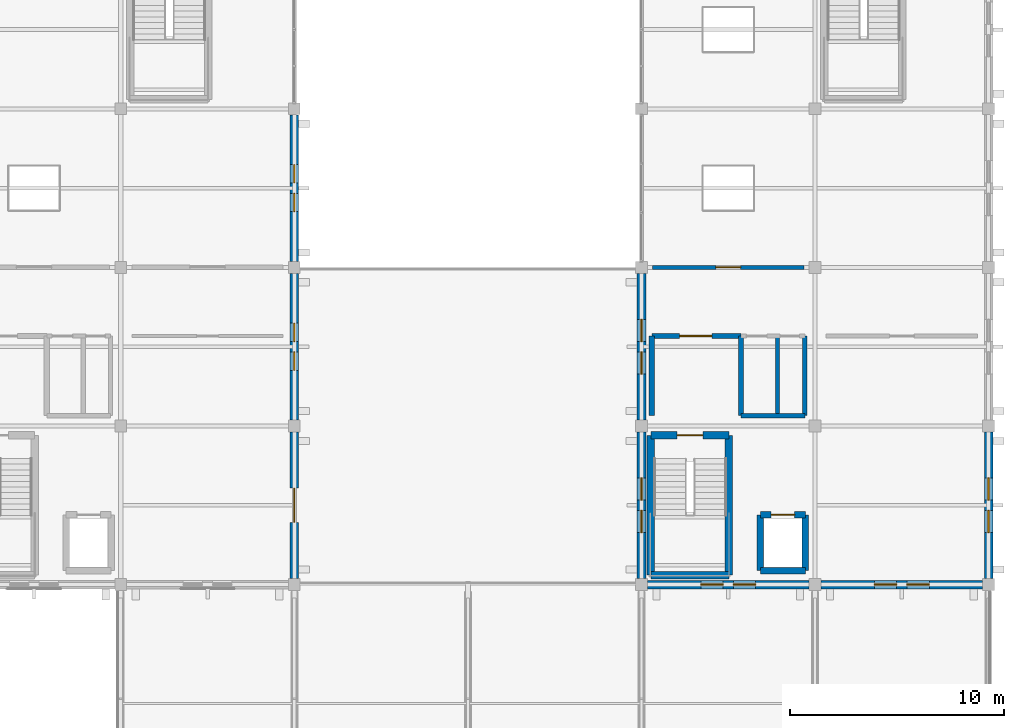
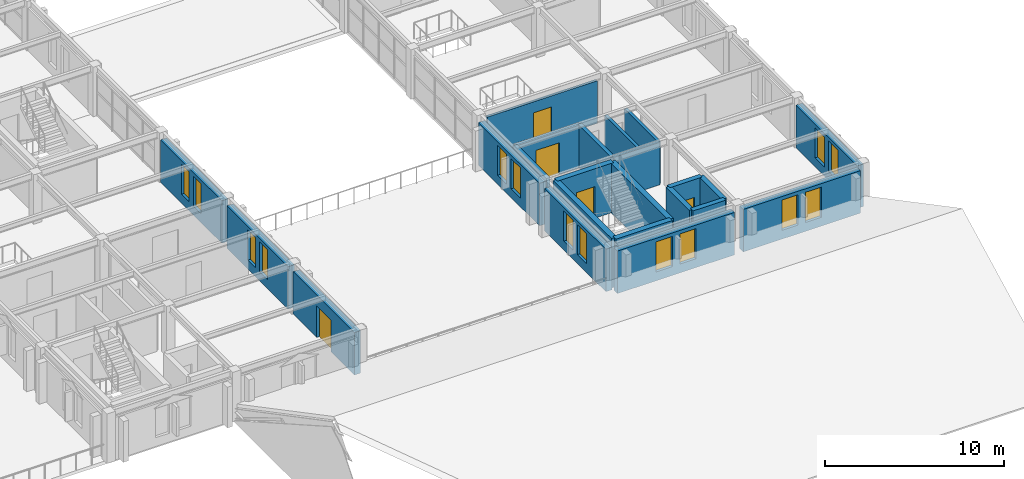
# One storey, part 107 of 121: 23 walls, 14 windows, 5 doors, 19 openings.
"""IFC4 building model written with IfcOpenShell, lengths in metres."""

from ifc_helpers import new_model, si_unit, direction, frame, frame_2d, origin, place, context, subcontext, project, spatial, rectangle, extrude, material, layer, layer_set, type_object, element, fill, save


model = new_model("IFC4")

# Units and contexts
model_context = context("Model", 3, precision=1e-05, world=origin(), true_north=direction((0.0, 1.0)))
body_context = subcontext(model_context, "Body", "Model", "MODEL_VIEW")
ifc_project = project(units=[si_unit("LENGTHUNIT", "METRE"), si_unit("AREAUNIT", "SQUARE_METRE"), si_unit("VOLUMEUNIT", "CUBIC_METRE"), si_unit("PLANEANGLEUNIT", "RADIAN"), si_unit("MASSUNIT", "GRAM", prefix="KILO")], contexts=[model_context])

# Site, building, storey
site_placement = place(None, origin())
site = spatial("IfcSite", under=ifc_project, at=site_placement, CompositionType="ELEMENT")
building_placement = place(site_placement, origin())
building = spatial("IfcBuilding", under=site, at=building_placement, Name="Cimatlan Art Gallery", CompositionType="ELEMENT")
storey_placement = place(building_placement, frame((0.0, 0.0, 10.199951171875)))
storey = spatial("IfcBuildingStorey", under=building, at=storey_placement, Name="L02", CompositionType="ELEMENT", Elevation=10.199951171875)

# Walls
ifc_material_1 = material(Name="Concrete C40/50", Category="concrete")
ifc_layer_1 = layer(ifc_material_1, 0.31005859375)
ifc_layer_set_1 = layer_set([ifc_layer_1], Name="Concrete C40/50")
wall_type_1 = type_object("IfcWallType", Name="W-CORE-310", PredefinedType="SHEAR", material=ifc_layer_set_1)
wall_1_placement = place(storey_placement, frame((153.35009765625, 24.550048828125, 0.0), z_axis=(0.0, 0.0, 1.0), x_axis=(0.0, 1.0, 0.0)))
element("IfcWall", 1, at=wall_1_placement, inside=storey, type_object=wall_type_1, Name="WL-SHFT-C5-L02-LW", PredefinedType="SHEAR", context=body_context, shape_type="SweptSolid", body=[
    extrude(rectangle(XDim=2.599853515625, YDim=0.31005859375, at=frame_2d((1.2998046875, 0.0))), origin(), (0.0, 0.0, 1.0), 3.364990234375),
])
wall_2_placement = place(storey_placement, frame((153.35009765625, 24.550048828125, 0.0), z_axis=(0.0, 0.0, 1.0), x_axis=(1.0, 0.0, 0.0)))
element("IfcWall", 2, at=wall_2_placement, inside=storey, type_object=wall_type_1, Name="WL-SHFT-C5-L02-LS", PredefinedType="SHEAR", context=body_context, shape_type="SweptSolid", body=[
    extrude(rectangle(XDim=2.099853515625, YDim=0.31005859375, at=frame_2d((1.0498046875, 0.0))), origin(), (0.0, 0.0, 1.0), 3.364990234375),
])
wall_3_placement = place(storey_placement, frame((155.449951171875, 24.550048828125, 0.0), z_axis=(0.0, 0.0, 1.0), x_axis=(0.0, 1.0, 0.0)))
element("IfcWall", 3, at=wall_3_placement, inside=storey, type_object=wall_type_1, Name="WL-SHFT-C5-L02-LE", PredefinedType="SHEAR", context=body_context, shape_type="SweptSolid", body=[
    extrude(rectangle(XDim=2.599853515625, YDim=0.31005859375, at=frame_2d((1.2998046875, 0.0))), origin(), (0.0, 0.0, 1.0), 3.364990234375),
])

# Wall, opening, door
wall_4_placement = place(storey_placement, frame((153.35009765625, 27.14990234375, 0.0), z_axis=(0.0, 0.0, 1.0), x_axis=(1.0, 0.0, 0.0)))
wall_4 = element("IfcWall", 4, at=wall_4_placement, inside=storey, type_object=wall_type_1, Name="WL-SHFT-C5-L02-LN", PredefinedType="SHEAR", context=body_context, shape_type="SweptSolid", body=[
    extrude(rectangle(XDim=2.099853515625, YDim=0.31005859375, at=frame_2d((1.0498046875, 0.0))), origin(), (0.0, 0.0, 1.0), 3.364990234375),
])
opening_1_placement = place(wall_4_placement, frame((0.5, 0.0, 0.0)))
opening_1 = element("IfcOpeningElement", 5, at=opening_1_placement, cuts=wall_4, Name="Opening LD-C5-L02", PredefinedType="OPENING", context=body_context, shape_type="SweptSolid", body=[
    extrude(rectangle(XDim=1.10009765625, YDim=2.14990234375, at=frame_2d((0.550048828125, 1.074951171875))), frame((0.0, 0.1650390625, 0.0), z_axis=(0.0, -1.0, 0.0), x_axis=(1.0, 0.0, 0.0)), (0.0, 0.0, 1.0), 0.330078125),
])
ifc_material_2 = material(Name="Brushed bronze sliding lift landing door")
door_type_1 = type_object("IfcDoorType", Name="LD-PS-1100", OperationType="NOTDEFINED", PredefinedType="DOOR", material=ifc_material_2)
door_1_placement = place(opening_1_placement, origin())
door_1 = element("IfcDoor", 6, at=door_1_placement, inside=storey, type_object=door_type_1, Name="LD-PL-02-L02", OperationType="SLIDING_TO_LEFT", OverallHeight=2.14990234375, OverallWidth=1.10009765625, PredefinedType="DOOR", context=body_context, shape_type="SweptSolid", body=[
    extrude(rectangle(XDim=1.10009765625, YDim=2.14990234375, at=frame_2d((0.550048828125, 1.074951171875))), frame((0.0, 0.02490234375, 0.0), z_axis=(0.0, -1.0, 0.0), x_axis=(1.0, 0.0, 0.0)), (0.0, 0.0, 1.0), 0.050048828125),
])
fill(opening_1, door_1)

# Walls
ifc_layer_2 = layer(ifc_material_1, 0.35009765625)
ifc_layer_set_2 = layer_set([ifc_layer_2], Name="Concrete C40/50")
wall_type_2 = type_object("IfcWallType", Name="W-CORE-350", PredefinedType="SHEAR", material=ifc_layer_set_2)
wall_5_placement = place(storey_placement, frame((148.239990234375, 24.340087890625, 0.0), z_axis=(0.0, 0.0, 1.0), x_axis=(0.0, 1.0, 0.0)))
element("IfcWall", 7, at=wall_5_placement, inside=storey, type_object=wall_type_2, Name="WL-CORE-C5-L02-SW", PredefinedType="SHEAR", context=body_context, shape_type="SweptSolid", body=[
    extrude(rectangle(XDim=6.52001953125, YDim=0.35009765625, at=frame_2d((3.260009765625, 0.0))), origin(), (0.0, 0.0, 1.0), 3.364990234375),
])
wall_6_placement = place(storey_placement, frame((148.239990234375, 24.340087890625, 0.0), z_axis=(0.0, 0.0, 1.0), x_axis=(1.0, 0.0, 0.0)))
element("IfcWall", 8, at=wall_6_placement, inside=storey, type_object=wall_type_2, Name="WL-CORE-C5-L02-SS", PredefinedType="SHEAR", context=body_context, shape_type="SweptSolid", body=[
    extrude(rectangle(XDim=3.639892578125, YDim=0.35009765625, at=frame_2d((1.81982421875, 0.0))), origin(), (0.0, 0.0, 1.0), 3.364990234375),
])
wall_7_placement = place(storey_placement, frame((151.8798828125, 24.340087890625, 0.0), z_axis=(0.0, 0.0, 1.0), x_axis=(0.0, 1.0, 0.0)))
element("IfcWall", 9, at=wall_7_placement, inside=storey, type_object=wall_type_2, Name="WL-CORE-C5-L02-SE", PredefinedType="SHEAR", context=body_context, shape_type="SweptSolid", body=[
    extrude(rectangle(XDim=6.52001953125, YDim=0.35009765625, at=frame_2d((3.260009765625, 0.0))), origin(), (0.0, 0.0, 1.0), 3.364990234375),
])

# Wall, opening, door
wall_8_placement = place(storey_placement, frame((148.239990234375, 30.860107421875, 0.0), z_axis=(0.0, 0.0, 1.0), x_axis=(1.0, 0.0, 0.0)))
wall_8 = element("IfcWall", 10, at=wall_8_placement, inside=storey, type_object=wall_type_2, Name="WL-CORE-C5-L02-SN", PredefinedType="SHEAR", context=body_context, shape_type="SweptSolid", body=[
    extrude(rectangle(XDim=3.639892578125, YDim=0.35009765625, at=frame_2d((1.81982421875, 0.0))), origin(), (0.0, 0.0, 1.0), 3.364990234375),
])
opening_2_placement = place(wall_8_placement, frame((1.219970703125, 0.0, 0.0)))
opening_2 = element("IfcOpeningElement", 11, at=opening_2_placement, cuts=wall_8, Name="Opening FD-C5-L02", PredefinedType="OPENING", context=body_context, shape_type="SweptSolid", body=[
    extrude(rectangle(XDim=1.199951171875, YDim=2.14990234375, at=frame_2d((0.60009765625, 1.074951171875))), frame((0.0, 0.18505859375, 0.0), z_axis=(0.0, -1.0, 0.0), x_axis=(1.0, 0.0, 0.0)), (0.0, 0.0, 1.0), 0.3701171875),
])
ifc_material_3 = material(Name="Fire-resisting steel acoustic stair door", Category="steel")
door_type_2 = type_object("IfcDoorType", Name="FD-ST-1200", OperationType="NOTDEFINED", PredefinedType="DOOR", material=ifc_material_3)
door_2_placement = place(opening_2_placement, origin())
door_2 = element("IfcDoor", 12, at=door_2_placement, inside=storey, type_object=door_type_2, Name="DR-C5-L02-ST", OperationType="SINGLE_SWING_LEFT", OverallHeight=2.14990234375, OverallWidth=1.199951171875, PredefinedType="DOOR", context=body_context, shape_type="SweptSolid", body=[
    extrude(rectangle(XDim=1.199951171875, YDim=2.14990234375, at=frame_2d((0.60009765625, 1.074951171875))), frame((0.0, 0.02490234375, 0.0), z_axis=(0.0, -1.0, 0.0), x_axis=(1.0, 0.0, 0.0)), (0.0, 0.0, 1.0), 0.050048828125),
])
fill(opening_2, door_2)

ifc_material_4 = material(Name="Precast concrete C40/50", Category="concrete")
ifc_layer_3 = layer(ifc_material_4, 0.2451171875)
ifc_layer_set_3 = layer_set([ifc_layer_3], Name="Precast concrete C40/50")
wall_type_3 = type_object("IfcWallType", Name="W-FFL-245", PredefinedType="PARTITIONING", material=ifc_layer_set_3)
wall_9_placement = place(storey_placement, frame((148.280029296875, 35.5, 0.0), z_axis=(0.0, 0.0, 1.0), x_axis=(1.0, 0.0, 0.0)))
wall_9 = element("IfcWall", 13, at=wall_9_placement, inside=storey, type_object=wall_type_3, Name="WL-LOB-C5-L02-N", PredefinedType="PARTITIONING", context=body_context, shape_type="SweptSolid", body=[
    extrude(rectangle(XDim=4.169921875, YDim=0.2451171875, at=frame_2d((2.0849609375, 0.0))), origin(), (0.0, 0.0, 1.0), 2.903076171875),
])
opening_3_placement = place(wall_9_placement, frame((1.300048828125, 0.0, 0.0)))
opening_3 = element("IfcOpeningElement", 14, at=opening_3_placement, cuts=wall_9, Name="Opening FDL-C5-L02", PredefinedType="OPENING", context=body_context, shape_type="SweptSolid", body=[
    extrude(rectangle(XDim=1.5, YDim=2.14990234375, at=frame_2d((0.75, 1.074951171875))), frame((0.0, 0.132568359375, 0.0), z_axis=(0.0, -1.0, 0.0), x_axis=(1.0, 0.0, 0.0)), (0.0, 0.0, 1.0), 0.26513671875),
])
ifc_material_5 = material(Name="Fire-resisting double-seal lobby door")
door_type_3 = type_object("IfcDoorType", Name="FD-LB-1500", OperationType="NOTDEFINED", PredefinedType="DOOR", material=ifc_material_5)
door_3_placement = place(opening_3_placement, origin())
door_3 = element("IfcDoor", 15, at=door_3_placement, inside=storey, type_object=door_type_3, Name="DR-LOB-C5-L02", OperationType="SINGLE_SWING_RIGHT", OverallHeight=2.14990234375, OverallWidth=1.5, PredefinedType="DOOR", context=body_context, shape_type="SweptSolid", body=[
    extrude(rectangle(XDim=1.5, YDim=2.14990234375, at=frame_2d((0.75, 1.074951171875))), frame((0.0, 0.02490234375, 0.0), z_axis=(0.0, -1.0, 0.0), x_axis=(1.0, 0.0, 0.0)), (0.0, 0.0, 1.0), 0.050048828125),
])
fill(opening_3, door_3)

# Walls
for number, where, z_axis, x_axis, name in (
    (16, (148.280029296875, 31.780029296875, 0.0), (0.0, 0.0, 1.0), (0.0, 1.0, 0.0), "WL-LOB-C5-L02-W"),
    (17, (152.449951171875, 31.780029296875, 0.0), (0.0, 0.0, 1.0), (0.0, 1.0, 0.0), "WL-LOB-C5-L02-M"),
):
    element("IfcWall", number, at=place(storey_placement, frame(where, z_axis=z_axis, x_axis=x_axis)), inside=storey, type_object=wall_type_3, Name=name, PredefinedType="PARTITIONING", context=body_context, shape_type="SweptSolid", body=[
        extrude(rectangle(XDim=3.719970703125, YDim=0.2451171875, at=frame_2d((1.85986328125, 0.0))), origin(), (0.0, 0.0, 1.0), 2.903076171875),
    ])
ifc_material_6 = material(Name="Moisture-resistant fire-rated plumbing wall")
ifc_layer_4 = layer(ifc_material_6, 0.195068359375)
ifc_layer_set_4 = layer_set([ifc_layer_4], Name="Moisture-resistant fire-rated plumbing wall")
wall_type_4 = type_object("IfcWallType", Name="W-PLM-195", PredefinedType="PARTITIONING", material=ifc_layer_set_4)
for number, where, z_axis, x_axis, name in (
    (18, (154.14990234375, 31.780029296875, 0.0), (0.0, 0.0, 1.0), (0.0, 1.0, 0.0), "WL-LOB-C5-L02-D"),
    (19, (155.419921875, 31.780029296875, 0.0), (0.0, 0.0, 1.0), (0.0, 1.0, 0.0), "WL-LOB-C5-L02-E"),
):
    element("IfcWall", number, at=place(storey_placement, frame(where, z_axis=z_axis, x_axis=x_axis)), inside=storey, type_object=wall_type_4, Name=name, PredefinedType="PARTITIONING", context=body_context, shape_type="SweptSolid", body=[
        extrude(rectangle(XDim=3.719970703125, YDim=0.195068359375, at=frame_2d((1.85986328125, 0.0))), origin(), (0.0, 0.0, 1.0), 2.903076171875),
    ])
wall_10_placement = place(storey_placement, frame((152.449951171875, 31.780029296875, 0.0), z_axis=(0.0, 0.0, 1.0), x_axis=(1.0, 0.0, 0.0)))
element("IfcWall", 20, at=wall_10_placement, inside=storey, type_object=wall_type_4, Name="WL-LOB-C5-L02-S", PredefinedType="PARTITIONING", context=body_context, shape_type="SweptSolid", body=[
    extrude(rectangle(XDim=2.969970703125, YDim=0.195068359375, at=frame_2d((1.48486328125, 0.0))), origin(), (0.0, 0.0, 1.0), 2.903076171875),
])

# Wall, opening, door
ifc_material_7 = material(Name="Acoustic gypsum and steel stud partition", Category="steel")
ifc_layer_5 = layer(ifc_material_7, 0.179931640625)
ifc_layer_set_5 = layer_set([ifc_layer_5], Name="Acoustic gypsum and steel stud partition")
wall_type_5 = type_object("IfcWallType", Name="W-STD-180", PredefinedType="PARTITIONING", material=ifc_layer_set_5)
wall_11_placement = place(storey_placement, frame((148.320068359375, 38.699951171875, 0.0), z_axis=(0.0, 0.0, 1.0), x_axis=(1.0, 0.0, 0.0)))
wall_11 = element("IfcWall", 21, at=wall_11_placement, inside=storey, type_object=wall_type_5, Name="WL-RM-L02-STD-02", PredefinedType="PARTITIONING", context=body_context, shape_type="SweptSolid", body=[
    extrude(rectangle(XDim=7.059814453125, YDim=0.179931640625, at=frame_2d((3.52978515625, 0.0))), origin(), (0.0, 0.0, 1.0), 2.903076171875),
])
opening_4_placement = place(wall_11_placement, frame((2.955078125, 0.0, 0.0)))
opening_4 = element("IfcOpeningElement", 22, at=opening_4_placement, cuts=wall_11, Name="Opening DI-0239", PredefinedType="OPENING", context=body_context, shape_type="SweptSolid", body=[
    extrude(rectangle(XDim=1.14990234375, YDim=2.14990234375, at=frame_2d((0.574951171875, 1.074951171875))), frame((0.0, 0.10009765625, 0.0), z_axis=(0.0, -1.0, 0.0), x_axis=(1.0, 0.0, 0.0)), (0.0, 0.0, 1.0), 0.199951171875),
])
ifc_material_8 = material(Name="Solid oak artists' studio door")
door_type_4 = type_object("IfcDoorType", Name="DI-SD-1150", OperationType="NOTDEFINED", PredefinedType="DOOR", material=ifc_material_8)
door_4_placement = place(opening_4_placement, origin())
door_4 = element("IfcDoor", 23, at=door_4_placement, inside=storey, type_object=door_type_4, Name="DR-RM-L02-STD-02", OperationType="SINGLE_SWING_LEFT", OverallHeight=2.14990234375, OverallWidth=1.14990234375, PredefinedType="DOOR", context=body_context, shape_type="SweptSolid", body=[
    extrude(rectangle(XDim=1.14990234375, YDim=2.14990234375, at=frame_2d((0.574951171875, 1.074951171875))), frame((0.0, 0.02490234375, 0.0), z_axis=(0.0, -1.0, 0.0), x_axis=(1.0, 0.0, 0.0)), (0.0, 0.0, 1.0), 0.050048828125),
])
fill(opening_4, door_4)

ifc_layer_6 = layer(ifc_material_4, 0.39990234375)
ifc_layer_set_6 = layer_set([ifc_layer_6], Name="Precast concrete C40/50")
wall_type_6 = type_object("IfcWallType", Name="WL-EXT-CAN-400", PredefinedType="SOLIDWALL", material=ifc_layer_set_6)
wall_12_placement = place(storey_placement, frame((131.60009765625, 31.02099609375, 0.0), z_axis=(0.0, 0.0, 1.0), x_axis=(0.0, -1.0, 0.0)))
wall_12 = element("IfcWall", 24, at=wall_12_placement, inside=storey, type_object=wall_type_6, Name="WL-EXT-L02-15-03-E", PredefinedType="SOLIDWALL", context=body_context, shape_type="SweptSolid", body=[
    extrude(rectangle(XDim=6.842041015625, YDim=0.39990234375, at=frame_2d((3.4208984375, 0.0))), origin(), (0.0, 0.0, 1.0), 2.89794921875),
])
opening_5_placement = place(wall_12_placement, frame((2.62109375, 0.0, 0.0)))
opening_5 = element("IfcOpeningElement", 25, at=opening_5_placement, cuts=wall_12, Name="Opening D-L02-T09", PredefinedType="OPENING", context=body_context, shape_type="SweptSolid", body=[
    extrude(rectangle(XDim=1.60009765625, YDim=2.14990234375, at=frame_2d((0.800048828125, 1.074951171875))), frame((0.0, 0.2099609375, 0.0), z_axis=(0.0, -1.0, 0.0), x_axis=(1.0, 0.0, 0.0)), (0.0, 0.0, 1.0), 0.419921875),
])
ifc_material_9 = material(Name="Anodised bronze and laminated safety glass door", Category="glass")
door_type_5 = type_object("IfcDoorType", Name="DE-TR-1600", OperationType="NOTDEFINED", PredefinedType="DOOR", material=ifc_material_9)
door_5_placement = place(opening_5_placement, origin())
door_5 = element("IfcDoor", 26, at=door_5_placement, inside=storey, type_object=door_type_5, Name="D-L02-T09", OperationType="SINGLE_SWING_LEFT", OverallHeight=2.14990234375, OverallWidth=1.60009765625, PredefinedType="DOOR", context=body_context, shape_type="SweptSolid", body=[
    extrude(rectangle(XDim=1.60009765625, YDim=2.14990234375, at=frame_2d((0.800048828125, 1.074951171875))), frame((0.0, 0.02490234375, 0.0), z_axis=(0.0, -1.0, 0.0), x_axis=(1.0, 0.0, 0.0)), (0.0, 0.0, 1.0), 0.050048828125),
])
fill(opening_5, door_5)

# Wall, openings, windows
wall_13_placement = place(storey_placement, frame((131.60009765625, 38.4208984375, 0.0), z_axis=(0.0, 0.0, 1.0), x_axis=(0.0, -1.0, 0.0)))
wall_13 = element("IfcWall", 27, at=wall_13_placement, inside=storey, type_object=wall_type_6, Name="WL-EXT-L02-15-04-E", PredefinedType="SOLIDWALL", context=body_context, shape_type="SweptSolid", body=[
    extrude(rectangle(XDim=6.841796875, YDim=0.39990234375, at=frame_2d((3.4208984375, 0.0))), origin(), (0.0, 0.0, 1.0), 2.89794921875),
])
opening_6_placement = place(wall_13_placement, frame((2.321044921875, 0.0, 0.60009765625)))
opening_6 = element("IfcOpeningElement", 28, at=opening_6_placement, cuts=wall_13, Name="Opening WN-0177", PredefinedType="OPENING", context=body_context, shape_type="SweptSolid", body=[
    extrude(rectangle(XDim=0.860107421875, YDim=2.050048828125, at=frame_2d((0.43017578125, 1.02490234375))), frame((0.0, 0.2099609375, 0.0), z_axis=(0.0, -1.0, 0.0), x_axis=(1.0, 0.0, 0.0)), (0.0, 0.0, 1.0), 0.419921875),
])
opening_7_placement = place(wall_13_placement, frame((3.660888671875, 0.0, 0.60009765625)))
opening_7 = element("IfcOpeningElement", 29, at=opening_7_placement, cuts=wall_13, Name="Opening WN-0178", PredefinedType="OPENING", context=body_context, shape_type="SweptSolid", body=[
    extrude(rectangle(XDim=0.860107421875, YDim=2.050048828125, at=frame_2d((0.43017578125, 1.02490234375))), frame((0.0, 0.2099609375, 0.0), z_axis=(0.0, -1.0, 0.0), x_axis=(1.0, 0.0, 0.0)), (0.0, 0.0, 1.0), 0.419921875),
])
ifc_material_10 = material(Name="Low-E laminated double glazing in bronze lancet frame", Category="glass")
window_type_1 = type_object("IfcWindowType", Name="WIN-E-L02-0860X2050", PartitioningType="SINGLE_PANEL", PredefinedType="WINDOW", material=ifc_material_10)
window_1_placement = place(opening_6_placement, origin())
window_1 = element("IfcWindow", 30, at=window_1_placement, inside=storey, type_object=window_type_1, Name="WIN-0177", OverallHeight=2.050048828125, OverallWidth=0.860107421875, PartitioningType="SINGLE_PANEL", PredefinedType="WINDOW", context=body_context, shape_type="SweptSolid", body=[
    extrude(rectangle(XDim=0.860107421875, YDim=2.050048828125, at=frame_2d((0.43017578125, 1.02490234375))), frame((0.0, 0.030029296875, 0.0), z_axis=(0.0, -1.0, 0.0), x_axis=(1.0, 0.0, 0.0)), (0.0, 0.0, 1.0), 0.06005859375),
])
fill(opening_6, window_1)
window_2_placement = place(opening_7_placement, origin())
window_2 = element("IfcWindow", 31, at=window_2_placement, inside=storey, type_object=window_type_1, Name="WIN-0178", OverallHeight=2.050048828125, OverallWidth=0.860107421875, PartitioningType="SINGLE_PANEL", PredefinedType="WINDOW", context=body_context, shape_type="SweptSolid", body=[
    extrude(rectangle(XDim=0.860107421875, YDim=2.050048828125, at=frame_2d((0.43017578125, 1.02490234375))), frame((0.0, 0.030029296875, 0.0), z_axis=(0.0, -1.0, 0.0), x_axis=(1.0, 0.0, 0.0)), (0.0, 0.0, 1.0), 0.06005859375),
])
fill(opening_7, window_2)

wall_14_placement = place(storey_placement, frame((131.60009765625, 45.821044921875, 0.0), z_axis=(0.0, 0.0, 1.0), x_axis=(0.0, -1.0, 0.0)))
wall_14 = element("IfcWall", 32, at=wall_14_placement, inside=storey, type_object=wall_type_6, Name="WL-EXT-L02-15-05-E", PredefinedType="SOLIDWALL", context=body_context, shape_type="SweptSolid", body=[
    extrude(rectangle(XDim=6.842041015625, YDim=0.39990234375, at=frame_2d((3.4208984375, 0.0))), origin(), (0.0, 0.0, 1.0), 2.89794921875),
])
opening_8_placement = place(wall_14_placement, frame((2.321044921875, 0.0, 0.60009765625)))
opening_8 = element("IfcOpeningElement", 33, at=opening_8_placement, cuts=wall_14, Name="Opening WN-0179", PredefinedType="OPENING", context=body_context, shape_type="SweptSolid", body=[
    extrude(rectangle(XDim=0.860107421875, YDim=2.050048828125, at=frame_2d((0.43017578125, 1.02490234375))), frame((0.0, 0.2099609375, 0.0), z_axis=(0.0, -1.0, 0.0), x_axis=(1.0, 0.0, 0.0)), (0.0, 0.0, 1.0), 0.419921875),
])
opening_9_placement = place(wall_14_placement, frame((3.660888671875, 0.0, 0.60009765625)))
opening_9 = element("IfcOpeningElement", 34, at=opening_9_placement, cuts=wall_14, Name="Opening WN-0180", PredefinedType="OPENING", context=body_context, shape_type="SweptSolid", body=[
    extrude(rectangle(XDim=0.860107421875, YDim=2.050048828125, at=frame_2d((0.43017578125, 1.02490234375))), frame((0.0, 0.2099609375, 0.0), z_axis=(0.0, -1.0, 0.0), x_axis=(1.0, 0.0, 0.0)), (0.0, 0.0, 1.0), 0.419921875),
])
window_3_placement = place(opening_8_placement, origin())
window_3 = element("IfcWindow", 35, at=window_3_placement, inside=storey, type_object=window_type_1, Name="WIN-0179", OverallHeight=2.050048828125, OverallWidth=0.860107421875, PartitioningType="SINGLE_PANEL", PredefinedType="WINDOW", context=body_context, shape_type="SweptSolid", body=[
    extrude(rectangle(XDim=0.860107421875, YDim=2.050048828125, at=frame_2d((0.43017578125, 1.02490234375))), frame((0.0, 0.030029296875, 0.0), z_axis=(0.0, -1.0, 0.0), x_axis=(1.0, 0.0, 0.0)), (0.0, 0.0, 1.0), 0.06005859375),
])
fill(opening_8, window_3)
window_4_placement = place(opening_9_placement, origin())
window_4 = element("IfcWindow", 36, at=window_4_placement, inside=storey, type_object=window_type_1, Name="WIN-0180", OverallHeight=2.050048828125, OverallWidth=0.860107421875, PartitioningType="SINGLE_PANEL", PredefinedType="WINDOW", context=body_context, shape_type="SweptSolid", body=[
    extrude(rectangle(XDim=0.860107421875, YDim=2.050048828125, at=frame_2d((0.43017578125, 1.02490234375))), frame((0.0, 0.030029296875, 0.0), z_axis=(0.0, -1.0, 0.0), x_axis=(1.0, 0.0, 0.0)), (0.0, 0.0, 1.0), 0.06005859375),
])
fill(opening_9, window_4)

wall_15_placement = place(storey_placement, frame((155.62109375, 23.89990234375, 0.0), z_axis=(0.0, 0.0, 1.0), x_axis=(-1.0, 0.0, 0.0)))
wall_15 = element("IfcWall", 37, at=wall_15_placement, inside=storey, type_object=wall_type_6, Name="WL-EXT-L02-18-03-S", PredefinedType="SOLIDWALL", context=body_context, shape_type="SweptSolid", body=[
    extrude(rectangle(XDim=7.5419921875, YDim=0.39990234375, at=frame_2d((3.77099609375, 0.0))), origin(), (0.0, 0.0, 1.0), 2.89794921875),
])
opening_10_placement = place(wall_15_placement, frame((2.490966796875, 0.0, 0.60009765625)))
opening_10 = element("IfcOpeningElement", 38, at=opening_10_placement, cuts=wall_15, Name="Opening WN-0185", PredefinedType="OPENING", context=body_context, shape_type="SweptSolid", body=[
    extrude(rectangle(XDim=1.0400390625, YDim=2.06005859375, at=frame_2d((0.52001953125, 1.030029296875))), frame((0.0, 0.2099609375, 0.0), z_axis=(0.0, -1.0, 0.0), x_axis=(1.0, 0.0, 0.0)), (0.0, 0.0, 1.0), 0.419921875),
])
opening_11_placement = place(wall_15_placement, frame((4.010986328125, 0.0, 0.60009765625)))
opening_11 = element("IfcOpeningElement", 39, at=opening_11_placement, cuts=wall_15, Name="Opening WN-0186", PredefinedType="OPENING", context=body_context, shape_type="SweptSolid", body=[
    extrude(rectangle(XDim=1.0400390625, YDim=2.06005859375, at=frame_2d((0.52001953125, 1.030029296875))), frame((0.0, 0.2099609375, 0.0), z_axis=(0.0, -1.0, 0.0), x_axis=(1.0, 0.0, 0.0)), (0.0, 0.0, 1.0), 0.419921875),
])
window_type_2 = type_object("IfcWindowType", Name="WIN-STD-L02-1040X2060", PartitioningType="SINGLE_PANEL", PredefinedType="WINDOW", material=ifc_material_10)
window_5_placement = place(opening_10_placement, origin())
window_5 = element("IfcWindow", 40, at=window_5_placement, inside=storey, type_object=window_type_2, Name="WIN-0185", OverallHeight=2.06005859375, OverallWidth=1.0400390625, PartitioningType="SINGLE_PANEL", PredefinedType="WINDOW", context=body_context, shape_type="SweptSolid", body=[
    extrude(rectangle(XDim=1.0400390625, YDim=2.06005859375, at=frame_2d((0.52001953125, 1.030029296875))), frame((0.0, 0.030029296875, 0.0), z_axis=(0.0, -1.0, 0.0), x_axis=(1.0, 0.0, 0.0)), (0.0, 0.0, 1.0), 0.06005859375),
])
fill(opening_10, window_5)
window_6_placement = place(opening_11_placement, origin())
window_6 = element("IfcWindow", 41, at=window_6_placement, inside=storey, type_object=window_type_2, Name="WIN-0186", OverallHeight=2.06005859375, OverallWidth=1.0400390625, PartitioningType="SINGLE_PANEL", PredefinedType="WINDOW", context=body_context, shape_type="SweptSolid", body=[
    extrude(rectangle(XDim=1.0400390625, YDim=2.06005859375, at=frame_2d((0.52001953125, 1.030029296875))), frame((0.0, 0.030029296875, 0.0), z_axis=(0.0, -1.0, 0.0), x_axis=(1.0, 0.0, 0.0)), (0.0, 0.0, 1.0), 0.06005859375),
])
fill(opening_11, window_6)

wall_16_placement = place(storey_placement, frame((147.800048828125, 24.178955078125, 0.0), z_axis=(0.0, 0.0, 1.0), x_axis=(0.0, 1.0, 0.0)))
wall_16 = element("IfcWall", 42, at=wall_16_placement, inside=storey, type_object=wall_type_6, Name="WL-EXT-L02-18-03-W", PredefinedType="SOLIDWALL", context=body_context, shape_type="SweptSolid", body=[
    extrude(rectangle(XDim=6.842041015625, YDim=0.39990234375, at=frame_2d((3.4208984375, 0.0))), origin(), (0.0, 0.0, 1.0), 2.89794921875),
])
opening_12_placement = place(wall_16_placement, frame((2.14111328125, 0.0, 0.60009765625)))
opening_12 = element("IfcOpeningElement", 43, at=opening_12_placement, cuts=wall_16, Name="Opening WN-0187", PredefinedType="OPENING", context=body_context, shape_type="SweptSolid", body=[
    extrude(rectangle(XDim=1.0400390625, YDim=2.06005859375, at=frame_2d((0.52001953125, 1.030029296875))), frame((0.0, 0.2099609375, 0.0), z_axis=(0.0, -1.0, 0.0), x_axis=(1.0, 0.0, 0.0)), (0.0, 0.0, 1.0), 0.419921875),
])
opening_13_placement = place(wall_16_placement, frame((3.660888671875, 0.0, 0.60009765625)))
opening_13 = element("IfcOpeningElement", 44, at=opening_13_placement, cuts=wall_16, Name="Opening WN-0188", PredefinedType="OPENING", context=body_context, shape_type="SweptSolid", body=[
    extrude(rectangle(XDim=1.0400390625, YDim=2.06005859375, at=frame_2d((0.52001953125, 1.030029296875))), frame((0.0, 0.2099609375, 0.0), z_axis=(0.0, -1.0, 0.0), x_axis=(1.0, 0.0, 0.0)), (0.0, 0.0, 1.0), 0.419921875),
])
window_7_placement = place(opening_12_placement, origin())
window_7 = element("IfcWindow", 45, at=window_7_placement, inside=storey, type_object=window_type_2, Name="WIN-0187", OverallHeight=2.06005859375, OverallWidth=1.0400390625, PartitioningType="SINGLE_PANEL", PredefinedType="WINDOW", context=body_context, shape_type="SweptSolid", body=[
    extrude(rectangle(XDim=1.0400390625, YDim=2.06005859375, at=frame_2d((0.52001953125, 1.030029296875))), frame((0.0, 0.030029296875, 0.0), z_axis=(0.0, -1.0, 0.0), x_axis=(1.0, 0.0, 0.0)), (0.0, 0.0, 1.0), 0.06005859375),
])
fill(opening_12, window_7)
window_8_placement = place(opening_13_placement, origin())
window_8 = element("IfcWindow", 46, at=window_8_placement, inside=storey, type_object=window_type_2, Name="WIN-0188", OverallHeight=2.06005859375, OverallWidth=1.0400390625, PartitioningType="SINGLE_PANEL", PredefinedType="WINDOW", context=body_context, shape_type="SweptSolid", body=[
    extrude(rectangle(XDim=1.0400390625, YDim=2.06005859375, at=frame_2d((0.52001953125, 1.030029296875))), frame((0.0, 0.030029296875, 0.0), z_axis=(0.0, -1.0, 0.0), x_axis=(1.0, 0.0, 0.0)), (0.0, 0.0, 1.0), 0.06005859375),
])
fill(opening_13, window_8)

wall_17_placement = place(storey_placement, frame((147.800048828125, 31.5791015625, 0.0), z_axis=(0.0, 0.0, 1.0), x_axis=(0.0, 1.0, 0.0)))
wall_17 = element("IfcWall", 47, at=wall_17_placement, inside=storey, type_object=wall_type_6, Name="WL-EXT-L02-18-04-W", PredefinedType="SOLIDWALL", context=body_context, shape_type="SweptSolid", body=[
    extrude(rectangle(XDim=6.841796875, YDim=0.39990234375, at=frame_2d((3.4208984375, 0.0))), origin(), (0.0, 0.0, 1.0), 2.89794921875),
])
opening_14_placement = place(wall_17_placement, frame((2.14111328125, 0.0, 0.60009765625)))
opening_14 = element("IfcOpeningElement", 48, at=opening_14_placement, cuts=wall_17, Name="Opening WN-0189", PredefinedType="OPENING", context=body_context, shape_type="SweptSolid", body=[
    extrude(rectangle(XDim=1.0400390625, YDim=2.06005859375, at=frame_2d((0.52001953125, 1.030029296875))), frame((0.0, 0.2099609375, 0.0), z_axis=(0.0, -1.0, 0.0), x_axis=(1.0, 0.0, 0.0)), (0.0, 0.0, 1.0), 0.419921875),
])
opening_15_placement = place(wall_17_placement, frame((3.660888671875, 0.0, 0.60009765625)))
opening_15 = element("IfcOpeningElement", 49, at=opening_15_placement, cuts=wall_17, Name="Opening WN-0190", PredefinedType="OPENING", context=body_context, shape_type="SweptSolid", body=[
    extrude(rectangle(XDim=1.0400390625, YDim=2.06005859375, at=frame_2d((0.52001953125, 1.030029296875))), frame((0.0, 0.2099609375, 0.0), z_axis=(0.0, -1.0, 0.0), x_axis=(1.0, 0.0, 0.0)), (0.0, 0.0, 1.0), 0.419921875),
])
window_9_placement = place(opening_14_placement, origin())
window_9 = element("IfcWindow", 50, at=window_9_placement, inside=storey, type_object=window_type_2, Name="WIN-0189", OverallHeight=2.06005859375, OverallWidth=1.0400390625, PartitioningType="SINGLE_PANEL", PredefinedType="WINDOW", context=body_context, shape_type="SweptSolid", body=[
    extrude(rectangle(XDim=1.0400390625, YDim=2.06005859375, at=frame_2d((0.52001953125, 1.030029296875))), frame((0.0, 0.030029296875, 0.0), z_axis=(0.0, -1.0, 0.0), x_axis=(1.0, 0.0, 0.0)), (0.0, 0.0, 1.0), 0.06005859375),
])
fill(opening_14, window_9)
window_10_placement = place(opening_15_placement, origin())
window_10 = element("IfcWindow", 51, at=window_10_placement, inside=storey, type_object=window_type_2, Name="WIN-0190", OverallHeight=2.06005859375, OverallWidth=1.0400390625, PartitioningType="SINGLE_PANEL", PredefinedType="WINDOW", context=body_context, shape_type="SweptSolid", body=[
    extrude(rectangle(XDim=1.0400390625, YDim=2.06005859375, at=frame_2d((0.52001953125, 1.030029296875))), frame((0.0, 0.030029296875, 0.0), z_axis=(0.0, -1.0, 0.0), x_axis=(1.0, 0.0, 0.0)), (0.0, 0.0, 1.0), 0.06005859375),
])
fill(opening_15, window_10)

wall_18_placement = place(storey_placement, frame((163.720947265625, 23.89990234375, 0.0), z_axis=(0.0, 0.0, 1.0), x_axis=(-1.0, 0.0, 0.0)))
wall_18 = element("IfcWall", 52, at=wall_18_placement, inside=storey, type_object=wall_type_6, Name="WL-EXT-L02-19-03-S", PredefinedType="SOLIDWALL", context=body_context, shape_type="SweptSolid", body=[
    extrude(rectangle(XDim=7.5419921875, YDim=0.39990234375, at=frame_2d((3.77099609375, 0.0))), origin(), (0.0, 0.0, 1.0), 2.89794921875),
])
opening_16_placement = place(wall_18_placement, frame((2.490966796875, 0.0, 0.60009765625)))
opening_16 = element("IfcOpeningElement", 53, at=opening_16_placement, cuts=wall_18, Name="Opening WN-0193", PredefinedType="OPENING", context=body_context, shape_type="SweptSolid", body=[
    extrude(rectangle(XDim=1.0400390625, YDim=2.06005859375, at=frame_2d((0.52001953125, 1.030029296875))), frame((0.0, 0.2099609375, 0.0), z_axis=(0.0, -1.0, 0.0), x_axis=(1.0, 0.0, 0.0)), (0.0, 0.0, 1.0), 0.419921875),
])
opening_17_placement = place(wall_18_placement, frame((4.010986328125, 0.0, 0.60009765625)))
opening_17 = element("IfcOpeningElement", 54, at=opening_17_placement, cuts=wall_18, Name="Opening WN-0194", PredefinedType="OPENING", context=body_context, shape_type="SweptSolid", body=[
    extrude(rectangle(XDim=1.0400390625, YDim=2.06005859375, at=frame_2d((0.52001953125, 1.030029296875))), frame((0.0, 0.2099609375, 0.0), z_axis=(0.0, -1.0, 0.0), x_axis=(1.0, 0.0, 0.0)), (0.0, 0.0, 1.0), 0.419921875),
])
window_11_placement = place(opening_16_placement, origin())
window_11 = element("IfcWindow", 55, at=window_11_placement, inside=storey, type_object=window_type_2, Name="WIN-0193", OverallHeight=2.06005859375, OverallWidth=1.0400390625, PartitioningType="SINGLE_PANEL", PredefinedType="WINDOW", context=body_context, shape_type="SweptSolid", body=[
    extrude(rectangle(XDim=1.0400390625, YDim=2.06005859375, at=frame_2d((0.52001953125, 1.030029296875))), frame((0.0, 0.030029296875, 0.0), z_axis=(0.0, -1.0, 0.0), x_axis=(1.0, 0.0, 0.0)), (0.0, 0.0, 1.0), 0.06005859375),
])
fill(opening_16, window_11)
window_12_placement = place(opening_17_placement, origin())
window_12 = element("IfcWindow", 56, at=window_12_placement, inside=storey, type_object=window_type_2, Name="WIN-0194", OverallHeight=2.06005859375, OverallWidth=1.0400390625, PartitioningType="SINGLE_PANEL", PredefinedType="WINDOW", context=body_context, shape_type="SweptSolid", body=[
    extrude(rectangle(XDim=1.0400390625, YDim=2.06005859375, at=frame_2d((0.52001953125, 1.030029296875))), frame((0.0, 0.030029296875, 0.0), z_axis=(0.0, -1.0, 0.0), x_axis=(1.0, 0.0, 0.0)), (0.0, 0.0, 1.0), 0.06005859375),
])
fill(opening_17, window_12)

wall_19_placement = place(storey_placement, frame((164.0, 31.02099609375, 0.0), z_axis=(0.0, 0.0, 1.0), x_axis=(0.0, -1.0, 0.0)))
wall_19 = element("IfcWall", 57, at=wall_19_placement, inside=storey, type_object=wall_type_6, Name="WL-EXT-L02-19-03-E", PredefinedType="SOLIDWALL", context=body_context, shape_type="SweptSolid", body=[
    extrude(rectangle(XDim=6.842041015625, YDim=0.39990234375, at=frame_2d((3.4208984375, 0.0))), origin(), (0.0, 0.0, 1.0), 2.89794921875),
])
opening_18_placement = place(wall_19_placement, frame((2.14111328125, 0.0, 0.60009765625)))
opening_18 = element("IfcOpeningElement", 58, at=opening_18_placement, cuts=wall_19, Name="Opening WN-0195", PredefinedType="OPENING", context=body_context, shape_type="SweptSolid", body=[
    extrude(rectangle(XDim=1.0400390625, YDim=2.06005859375, at=frame_2d((0.52001953125, 1.030029296875))), frame((0.0, 0.2099609375, 0.0), z_axis=(0.0, -1.0, 0.0), x_axis=(1.0, 0.0, 0.0)), (0.0, 0.0, 1.0), 0.419921875),
])
opening_19_placement = place(wall_19_placement, frame((3.660888671875, 0.0, 0.60009765625)))
opening_19 = element("IfcOpeningElement", 59, at=opening_19_placement, cuts=wall_19, Name="Opening WN-0196", PredefinedType="OPENING", context=body_context, shape_type="SweptSolid", body=[
    extrude(rectangle(XDim=1.0400390625, YDim=2.06005859375, at=frame_2d((0.52001953125, 1.030029296875))), frame((0.0, 0.2099609375, 0.0), z_axis=(0.0, -1.0, 0.0), x_axis=(1.0, 0.0, 0.0)), (0.0, 0.0, 1.0), 0.419921875),
])
window_13_placement = place(opening_18_placement, origin())
window_13 = element("IfcWindow", 60, at=window_13_placement, inside=storey, type_object=window_type_2, Name="WIN-0195", OverallHeight=2.06005859375, OverallWidth=1.0400390625, PartitioningType="SINGLE_PANEL", PredefinedType="WINDOW", context=body_context, shape_type="SweptSolid", body=[
    extrude(rectangle(XDim=1.0400390625, YDim=2.06005859375, at=frame_2d((0.52001953125, 1.030029296875))), frame((0.0, 0.030029296875, 0.0), z_axis=(0.0, -1.0, 0.0), x_axis=(1.0, 0.0, 0.0)), (0.0, 0.0, 1.0), 0.06005859375),
])
fill(opening_18, window_13)
window_14_placement = place(opening_19_placement, origin())
window_14 = element("IfcWindow", 61, at=window_14_placement, inside=storey, type_object=window_type_2, Name="WIN-0196", OverallHeight=2.06005859375, OverallWidth=1.0400390625, PartitioningType="SINGLE_PANEL", PredefinedType="WINDOW", context=body_context, shape_type="SweptSolid", body=[
    extrude(rectangle(XDim=1.0400390625, YDim=2.06005859375, at=frame_2d((0.52001953125, 1.030029296875))), frame((0.0, 0.030029296875, 0.0), z_axis=(0.0, -1.0, 0.0), x_axis=(1.0, 0.0, 0.0)), (0.0, 0.0, 1.0), 0.06005859375),
])
fill(opening_19, window_14)

save(model, "model.ifc")
